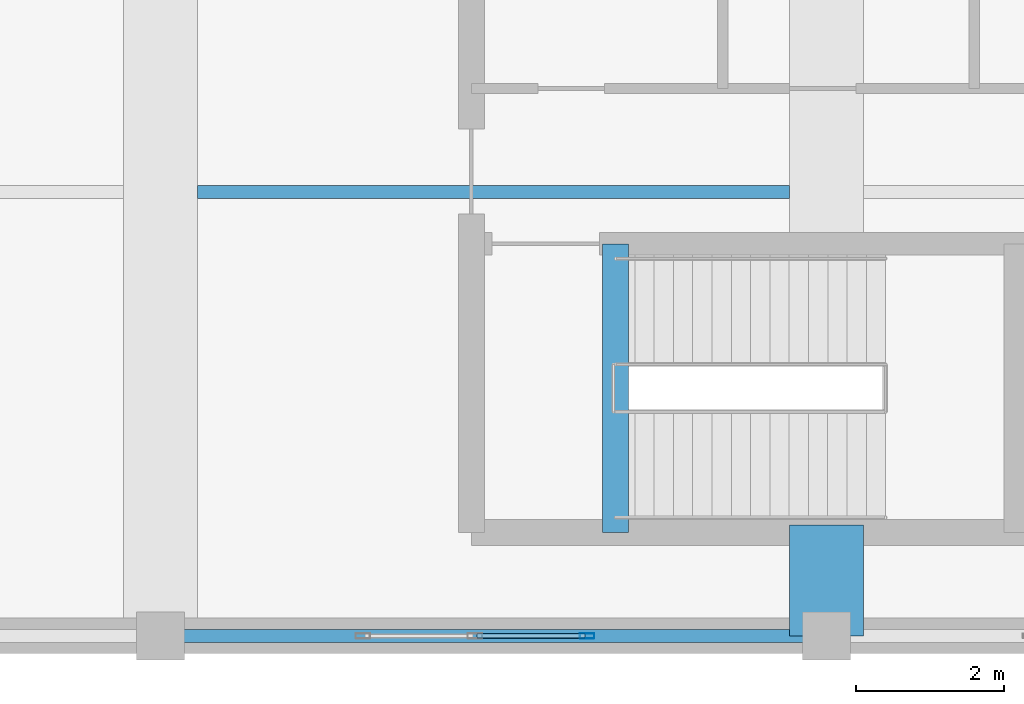
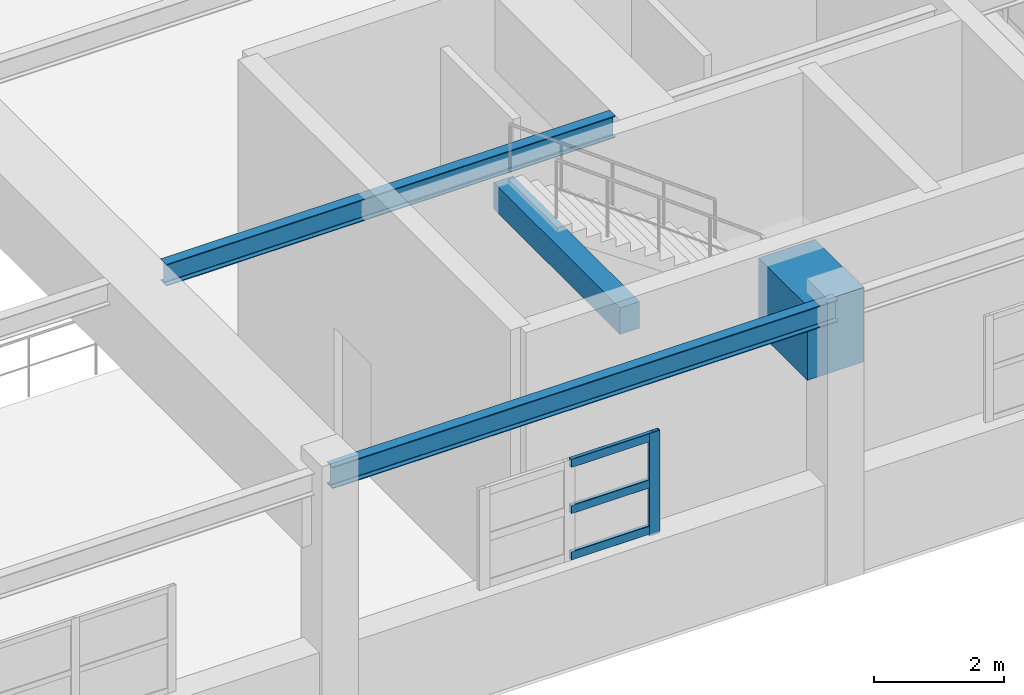
# One storey, part 18 of 197: 4 beams, 4 members, 1 element without a shape of its own.
"""IFC4 building model written with IfcOpenShell, lengths in metres."""

from ifc_helpers import new_model, si_unit, derived_unit, direction, frame, origin, origin_2d, place, context, subcontext, project, spatial, rectangle, hollow_rectangle, i_section, extrude, material, layer, layer_set, material_profile, profile_set, type_object, element, aggregate, save


model = new_model("IFC4")

# Units and contexts
model_context = context("Model", 3, precision=1e-05, world=origin(), true_north=direction((0.0, 1.0)))
body_context = subcontext(model_context, "Body", "Model", "MODEL_VIEW")
ifc_project = project(units=[si_unit("LENGTHUNIT", "METRE"), si_unit("AREAUNIT", "SQUARE_METRE"), si_unit("VOLUMEUNIT", "CUBIC_METRE"), si_unit("PLANEANGLEUNIT", "RADIAN"), si_unit("MASSUNIT", "GRAM", prefix="KILO"), derived_unit("THERMALTRANSMITTANCEUNIT", [(si_unit("POWERUNIT", "WATT"), 1), (si_unit("LENGTHUNIT", "METRE"), -2), (si_unit("THERMODYNAMICTEMPERATUREUNIT", "KELVIN"), -1)])], contexts=[model_context])

# Site, building, storey
site_placement = place(None, origin())
site = spatial("IfcSite", under=ifc_project, at=site_placement, CompositionType="ELEMENT")
building_placement = place(site_placement, origin())
building = spatial("IfcBuilding", under=site, at=building_placement, Name="Almenara Railside Exhibition Hall", CompositionType="ELEMENT")
storey_placement = place(building_placement, frame((0.0, 0.0, 5.39990234375)))
storey = spatial("IfcBuildingStorey", under=building, at=storey_placement, Name="L01", CompositionType="ELEMENT", Elevation=5.39990234375)

# Curtain wall, members
ifc_material_1 = material(Name="Bronze-anodised aluminium and low-E double glazing", Category="aluminium")
ifc_layer = layer(ifc_material_1, 0.179931640625, Name="Bronze-anodised aluminium and low-E double glazing")
ifc_layer_set = layer_set([ifc_layer], Name="Bronze-anodised aluminium and low-E double glazing")
curtain_wall_type = type_object("IfcCurtainWallType", Name="Plenary Clerestory Curtain Wall 3100x1900", PredefinedType="NOTDEFINED", material=ifc_layer_set)
curtain_wall_placement = place(storey_placement, origin())
curtain_wall = element("IfcCurtainWall", 1, at=curtain_wall_placement, inside=storey, type_object=curtain_wall_type, Name="Curtain wall CW-CL6-103", PredefinedType="NOTDEFINED")
ifc_material_2 = material(Name="Bronze-anodised aluminium", Category="aluminium")
ifc_material_profile_1 = material_profile(ifc_material_2, hollow_rectangle(XDim=0.070068359375, YDim=0.199951171875, WallThickness=0.00439453125, InnerFilletRadius=0.00439453125, OuterFilletRadius=0.009033203125, at=origin_2d()), Name="ALU-MUL 70x200x4.5")
ifc_profile_set_1 = profile_set([ifc_material_profile_1], Name="Bronze-anodised aluminium")
member_type_1 = type_object("IfcMemberType", Name="Curtain Wall Mullion 70x200x4.5", PredefinedType="MULLION", material=ifc_profile_set_1)
member_1_placement = place(storey_placement, frame((53.764892578125, 0.0, 1.815185546875), z_axis=(0.0, 0.0, 1.0), x_axis=(0.0, 1.0, 0.0)))
member_1 = element("IfcMember", 2, at=member_1_placement, type_object=member_type_1, Name="CW-CL6-103 mullion 3", PredefinedType="MULLION", context=body_context, shape_type="SweptSolid", body=[
    extrude(hollow_rectangle(XDim=0.070068359375, YDim=0.199951171875, WallThickness=0.00439453125, InnerFilletRadius=0.00439453125, OuterFilletRadius=0.009033203125, at=origin_2d()), origin(), (0.0, 0.0, 1.0), 1.934814453125),
])
ifc_material_profile_2 = material_profile(ifc_material_2, hollow_rectangle(XDim=0.070068359375, YDim=0.159912109375, WallThickness=0.00390625, InnerFilletRadius=0.00390625, OuterFilletRadius=0.008056640625, at=origin_2d()), Name="ALU-TRN 70x160x4")
ifc_profile_set_2 = profile_set([ifc_material_profile_2], Name="Bronze-anodised aluminium")
member_type_2 = type_object("IfcMemberType", Name="Curtain Wall Transom 70x160x4", PredefinedType="USERDEFINED", material=ifc_profile_set_2)
member_2_placement = place(storey_placement, frame((52.277099609375, 0.0, 1.93017578125), z_axis=(1.0, 0.0, 0.0), x_axis=(0.0, 1.0, 0.0)))
member_2 = element("IfcMember", 3, at=member_2_placement, type_object=member_type_2, Name="CW-CL6-103 transom 2.1", ObjectType="TRANSOM", PredefinedType="USERDEFINED", context=body_context, shape_type="SweptSolid", body=[
    extrude(hollow_rectangle(XDim=0.070068359375, YDim=0.159912109375, WallThickness=0.00390625, InnerFilletRadius=0.00390625, OuterFilletRadius=0.008056640625, at=origin_2d()), origin(), (0.0, 0.0, 1.0), 1.4609375),
])
member_3_placement = place(storey_placement, frame((52.277099609375, 0.0, 2.800048828125), z_axis=(1.0, 0.0, 0.0), x_axis=(0.0, 1.0, 0.0)))
member_3 = element("IfcMember", 4, at=member_3_placement, type_object=member_type_2, Name="CW-CL6-103 transom 2.2", ObjectType="TRANSOM", PredefinedType="USERDEFINED", context=body_context, shape_type="SweptSolid", body=[
    extrude(hollow_rectangle(XDim=0.070068359375, YDim=0.159912109375, WallThickness=0.00390625, InnerFilletRadius=0.00390625, OuterFilletRadius=0.008056640625, at=origin_2d()), origin(), (0.0, 0.0, 1.0), 1.4609375),
])
member_4_placement = place(storey_placement, frame((52.277099609375, 0.0, 3.670166015625), z_axis=(1.0, 0.0, 0.0), x_axis=(0.0, 1.0, 0.0)))
member_4 = element("IfcMember", 5, at=member_4_placement, type_object=member_type_2, Name="CW-CL6-103 transom 2.3", ObjectType="TRANSOM", PredefinedType="USERDEFINED", context=body_context, shape_type="SweptSolid", body=[
    extrude(hollow_rectangle(XDim=0.070068359375, YDim=0.159912109375, WallThickness=0.00390625, InnerFilletRadius=0.00390625, OuterFilletRadius=0.008056640625, at=origin_2d()), origin(), (0.0, 0.0, 1.0), 1.4609375),
])
aggregate(curtain_wall, [member_1, member_2, member_3, member_4])

# Beams
ifc_material_3 = material(Name="Concrete C40/50", Category="concrete")
ifc_material_profile_3 = material_profile(ifc_material_3, rectangle(XDim=1.0, YDim=1.39990234375, at=origin_2d()), Name="RC 1000x1400")
ifc_profile_set_3 = profile_set([ifc_material_profile_3], Name="Concrete C40/50")
beam_type_1 = type_object("IfcBeamType", Name="RC Primary Girder 1000x1400 C40/50", PredefinedType="USERDEFINED", material=ifc_profile_set_3)
beam_1_placement = place(storey_placement, frame((57.0, 0.0, 4.43603515625), z_axis=(0.0, 1.0, 0.0), x_axis=(-1.0, 0.0, 0.0)))
element("IfcBeam", 6, at=beam_1_placement, inside=storey, type_object=beam_type_1, Name="Beam 0865", ObjectType="GIRDER", PredefinedType="USERDEFINED", context=body_context, shape_type="SweptSolid", body=[
    extrude(rectangle(XDim=1.0, YDim=1.39990234375, at=origin_2d()), origin(), (0.0, 0.0, 1.0), 1.5),
])
ifc_material_4 = material(Name="Concrete C35/45", Category="concrete")
ifc_material_profile_4 = material_profile(ifc_material_4, rectangle(XDim=0.35009765625, YDim=0.5, at=origin_2d()), Name="RC 350x500")
ifc_profile_set_4 = profile_set([ifc_material_profile_4], Name="Concrete C35/45")
beam_type_2 = type_object("IfcBeamType", Name="RC Spandrel Tie Beam 350x500 C35/45", PredefinedType="SPANDREL", material=ifc_profile_set_4)
beam_2_placement = place(storey_placement, frame((54.14990234375, 1.39990234375, 4.885986328125), z_axis=(0.0, 1.0, 0.0), x_axis=(-1.0, 0.0, 0.0)))
element("IfcBeam", 7, at=beam_2_placement, inside=storey, type_object=beam_type_2, Name="Stair trimmer ST-C7-L01", PredefinedType="SPANDREL", context=body_context, shape_type="SweptSolid", body=[
    extrude(rectangle(XDim=0.35009765625, YDim=0.5, at=origin_2d()), origin(), (0.0, 0.0, 1.0), 3.900146484375),
])
ifc_material_5 = material(Name="Structural steel S355JR", Category="steel")
ifc_material_profile_5 = material_profile(ifc_material_5, i_section(OverallWidth=0.1787109375, OverallDepth=0.409423828125, WebThickness=0.0087890625, FlangeThickness=0.014404296875, FilletRadius=0.01025390625, at=origin_2d()), Name="UB 406x178x67")
ifc_profile_set_5 = profile_set([ifc_material_profile_5], Name="Structural steel S355JR")
beam_type_3 = type_object("IfcBeamType", Name="Steel Plenary Joist UB 406x178x67 S355JR", PredefinedType="JOIST", material=ifc_profile_set_5)
beam_3_placement = place(storey_placement, frame((48.0, 0.0, 4.931396484375), z_axis=(1.0, 0.0, 0.0), x_axis=(0.0, 1.0, 0.0)))
element("IfcBeam", 8, at=beam_3_placement, inside=storey, type_object=beam_type_3, Name="Beam 0915", PredefinedType="JOIST", context=body_context, shape_type="SweptSolid", body=[
    extrude(i_section(OverallWidth=0.1787109375, OverallDepth=0.409423828125, WebThickness=0.0087890625, FlangeThickness=0.014404296875, FilletRadius=0.01025390625, at=origin_2d()), origin(), (0.0, 0.0, 1.0), 9.0),
])
beam_4_placement = place(storey_placement, frame((48.5, 6.0, 4.931396484375), z_axis=(1.0, 0.0, 0.0), x_axis=(0.0, 1.0, 0.0)))
element("IfcBeam", 9, at=beam_4_placement, inside=storey, type_object=beam_type_3, Name="Beam 0916", PredefinedType="JOIST", context=body_context, shape_type="SweptSolid", body=[
    extrude(i_section(OverallWidth=0.1787109375, OverallDepth=0.409423828125, WebThickness=0.0087890625, FlangeThickness=0.014404296875, FilletRadius=0.01025390625, at=origin_2d()), origin(), (0.0, 0.0, 1.0), 8.0),
])

save(model, "model.ifc")
